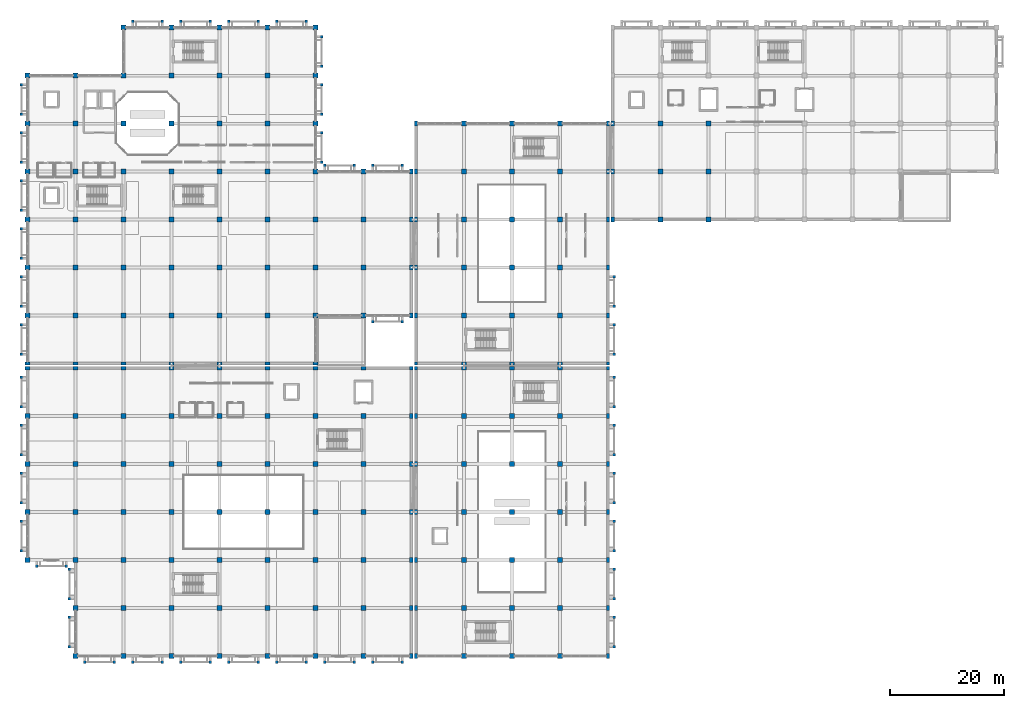
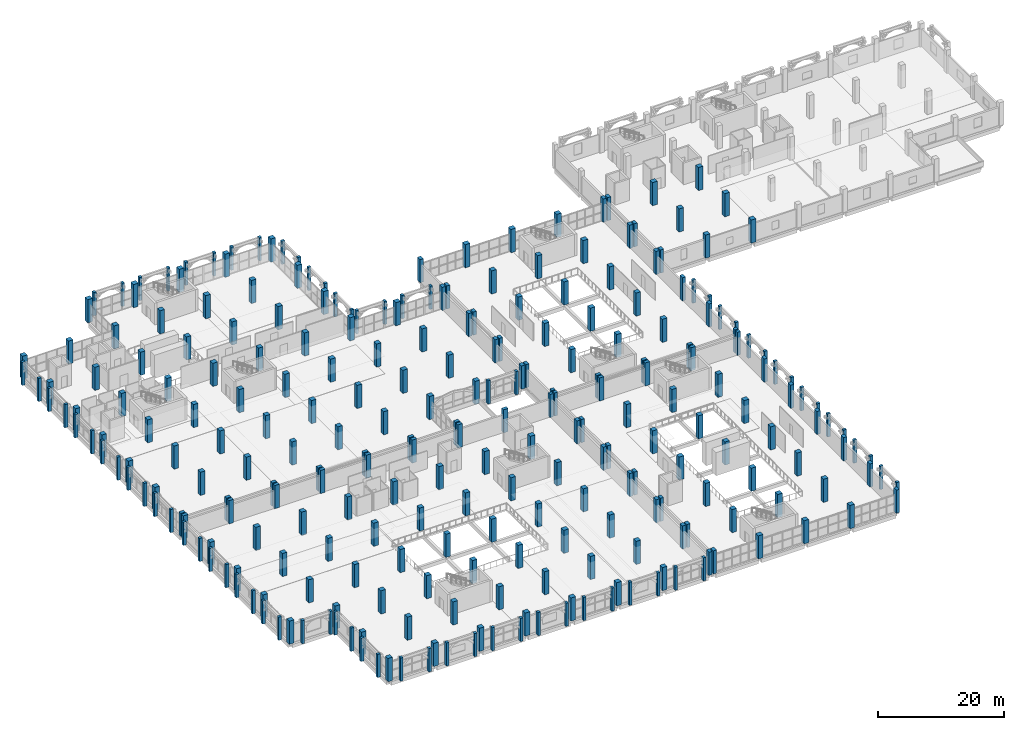
# One storey, part 1 of 137: 273 columns.
"""IFC4 building model written with IfcOpenShell, lengths in metres."""

from ifc_helpers import new_model, si_unit, direction, frame, origin, origin_2d, place, context, subcontext, project, spatial, rectangle, extrude, material, material_profile, profile_set, type_object, element, save


model = new_model("IFC4")

# Units and contexts
model_context = context("Model", 3, precision=1e-05, world=origin(), true_north=direction((0.0, 1.0)))
body_context = subcontext(model_context, "Body", "Model", "MODEL_VIEW")
ifc_project = project(units=[si_unit("LENGTHUNIT", "METRE"), si_unit("AREAUNIT", "SQUARE_METRE"), si_unit("VOLUMEUNIT", "CUBIC_METRE"), si_unit("PLANEANGLEUNIT", "RADIAN"), si_unit("MASSUNIT", "GRAM", prefix="KILO")], contexts=[model_context])

# Site, building, storey
site_placement = place(None, origin())
site = spatial("IfcSite", under=ifc_project, at=site_placement, CompositionType="ELEMENT")
building_placement = place(site_placement, origin())
building = spatial("IfcBuilding", under=site, at=building_placement, Name="Xazarin Passage Department Store", CompositionType="ELEMENT")
storey_placement = place(building_placement, frame((0.0, 0.0, 5.39990234375)))
storey = spatial("IfcBuildingStorey", under=building, at=storey_placement, Name="L01", CompositionType="ELEMENT", Elevation=5.39990234375)

# Columns
ifc_material = material(Name="Concrete C40/50", Category="concrete")
ifc_material_profile_1 = material_profile(ifc_material, rectangle(XDim=0.85009765625, YDim=0.85009765625, at=origin_2d()), Name="RC 850x850")
ifc_profile_set_1 = profile_set([ifc_material_profile_1], Name="Concrete C40/50")
column_type_1 = type_object("IfcColumnType", Name="STR-COL-RC850", PredefinedType="COLUMN", material=ifc_profile_set_1)
for number, where, z_axis, x_axis, name in (
    (1, (0.0, 59.60009765625, 0.0), (0.0, 0.0, 1.0), (1.0, 0.0, 0.0), "L01 Column 1/J"),
    (2, (8.39990234375, 59.60009765625, 0.0), (0.0, 0.0, 1.0), (1.0, 0.0, 0.0), "L01 Column 2/J"),
    (3, (16.800048828125, 59.60009765625, 0.0), (0.0, 0.0, 1.0), (1.0, 0.0, 0.0), "L01 Column 3/J"),
    (4, (25.199951171875, 59.60009765625, 0.0), (0.0, 0.0, 1.0), (1.0, 0.0, 0.0), "L01 Column 4/J"),
    (5, (33.60009765625, 59.60009765625, 0.0), (0.0, 0.0, 1.0), (1.0, 0.0, 0.0), "L01 Column 5/J"),
    (6, (42.0, 59.60009765625, 0.0), (0.0, 0.0, 1.0), (1.0, 0.0, 0.0), "L01 Column 6/J"),
    (7, (50.39990234375, 59.60009765625, 0.0), (0.0, 0.0, 1.0), (1.0, 0.0, 0.0), "L01 Column 7/J"),
    (8, (58.800048828125, 59.60009765625, 0.0), (0.0, 0.0, 1.0), (1.0, 0.0, 0.0), "L01 Column 8/J"),
    (9, (0.0, 68.0, 0.0), (0.0, 0.0, 1.0), (1.0, 0.0, 0.0), "L01 Column 1/K"),
    (10, (8.39990234375, 68.0, 0.0), (0.0, 0.0, 1.0), (1.0, 0.0, 0.0), "L01 Column 2/K"),
    (11, (16.800048828125, 68.0, 0.0), (0.0, 0.0, 1.0), (1.0, 0.0, 0.0), "L01 Column 3/K"),
    (12, (25.199951171875, 68.0, 0.0), (0.0, 0.0, 1.0), (1.0, 0.0, 0.0), "L01 Column 4/K"),
    (13, (33.60009765625, 68.0, 0.0), (0.0, 0.0, 1.0), (1.0, 0.0, 0.0), "L01 Column 5/K"),
    (14, (42.0, 68.0, 0.0), (0.0, 0.0, 1.0), (1.0, 0.0, 0.0), "L01 Column 6/K"),
    (15, (50.39990234375, 68.0, 0.0), (0.0, 0.0, 1.0), (1.0, 0.0, 0.0), "L01 Column 7/K"),
    (16, (58.800048828125, 68.0, 0.0), (0.0, 0.0, 1.0), (1.0, 0.0, 0.0), "L01 Column 8/K"),
    (17, (0.0, 76.39990234375, 0.0), (0.0, 0.0, 1.0), (1.0, 0.0, 0.0), "L01 Column 1/L"),
    (18, (8.39990234375, 76.39990234375, 0.0), (0.0, 0.0, 1.0), (1.0, 0.0, 0.0), "L01 Column 2/L"),
    (19, (16.800048828125, 76.39990234375, 0.0), (0.0, 0.0, 1.0), (1.0, 0.0, 0.0), "L01 Column 3/L"),
    (20, (25.199951171875, 76.39990234375, 0.0), (0.0, 0.0, 1.0), (1.0, 0.0, 0.0), "L01 Column 4/L"),
    (21, (33.60009765625, 76.39990234375, 0.0), (0.0, 0.0, 1.0), (1.0, 0.0, 0.0), "L01 Column 5/L"),
    (22, (42.0, 76.39990234375, 0.0), (0.0, 0.0, 1.0), (1.0, 0.0, 0.0), "L01 Column 6/L"),
    (23, (50.39990234375, 76.39990234375, 0.0), (0.0, 0.0, 1.0), (1.0, 0.0, 0.0), "L01 Column 7/L"),
    (24, (58.800048828125, 76.39990234375, 0.0), (0.0, 0.0, 1.0), (1.0, 0.0, 0.0), "L01 Column 8/L"),
    (25, (0.0, 84.800048828125, 0.0), (0.0, 0.0, 1.0), (1.0, 0.0, 0.0), "L01 Column 1/M"),
    (26, (8.39990234375, 84.800048828125, 0.0), (0.0, 0.0, 1.0), (1.0, 0.0, 0.0), "L01 Column 2/M"),
    (27, (16.800048828125, 84.800048828125, 0.0), (0.0, 0.0, 1.0), (1.0, 0.0, 0.0), "L01 Column 3/M"),
    (28, (25.199951171875, 84.800048828125, 0.0), (0.0, 0.0, 1.0), (1.0, 0.0, 0.0), "L01 Column 4/M"),
    (29, (33.60009765625, 84.800048828125, 0.0), (0.0, 0.0, 1.0), (1.0, 0.0, 0.0), "L01 Column 5/M"),
    (30, (42.0, 84.800048828125, 0.0), (0.0, 0.0, 1.0), (1.0, 0.0, 0.0), "L01 Column 6/M"),
    (31, (50.39990234375, 84.800048828125, 0.0), (0.0, 0.0, 1.0), (1.0, 0.0, 0.0), "L01 Column 7/M"),
    (32, (58.800048828125, 84.800048828125, 0.0), (0.0, 0.0, 1.0), (1.0, 0.0, 0.0), "L01 Column 8/M"),
    (33, (0.0, 93.199951171875, 0.0), (0.0, 0.0, 1.0), (1.0, 0.0, 0.0), "L01 Column 1/N"),
    (34, (8.39990234375, 93.199951171875, 0.0), (0.0, 0.0, 1.0), (1.0, 0.0, 0.0), "L01 Column 2/N"),
    (35, (16.800048828125, 93.199951171875, 0.0), (0.0, 0.0, 1.0), (1.0, 0.0, 0.0), "L01 Column 3/N"),
    (36, (25.199951171875, 93.199951171875, 0.0), (0.0, 0.0, 1.0), (1.0, 0.0, 0.0), "L01 Column 4/N"),
    (37, (33.60009765625, 93.199951171875, 0.0), (0.0, 0.0, 1.0), (1.0, 0.0, 0.0), "L01 Column 5/N"),
    (38, (42.0, 93.199951171875, 0.0), (0.0, 0.0, 1.0), (1.0, 0.0, 0.0), "L01 Column 6/N"),
    (39, (50.39990234375, 93.199951171875, 0.0), (0.0, 0.0, 1.0), (1.0, 0.0, 0.0), "L01 Column 7/N"),
    (40, (0.0, 101.60009765625, 0.0), (0.0, 0.0, 1.0), (1.0, 0.0, 0.0), "L01 Column 1/P"),
    (41, (8.39990234375, 101.60009765625, 0.0), (0.0, 0.0, 1.0), (1.0, 0.0, 0.0), "L01 Column 2/P"),
    (42, (16.800048828125, 101.60009765625, 0.0), (0.0, 0.0, 1.0), (1.0, 0.0, 0.0), "L01 Column 3/P"),
    (43, (25.199951171875, 101.60009765625, 0.0), (0.0, 0.0, 1.0), (1.0, 0.0, 0.0), "L01 Column 4/P"),
    (44, (33.60009765625, 101.60009765625, 0.0), (0.0, 0.0, 1.0), (1.0, 0.0, 0.0), "L01 Column 5/P"),
    (45, (42.0, 101.60009765625, 0.0), (0.0, 0.0, 1.0), (1.0, 0.0, 0.0), "L01 Column 6/P"),
    (46, (50.39990234375, 101.60009765625, 0.0), (0.0, 0.0, 1.0), (1.0, 0.0, 0.0), "L01 Column 7/P"),
    (47, (16.800048828125, 110.0, 0.0), (0.0, 0.0, 1.0), (1.0, 0.0, 0.0), "L01 Column 3/Q"),
    (48, (25.199951171875, 110.0, 0.0), (0.0, 0.0, 1.0), (1.0, 0.0, 0.0), "L01 Column 4/Q"),
    (49, (33.60009765625, 110.0, 0.0), (0.0, 0.0, 1.0), (1.0, 0.0, 0.0), "L01 Column 5/Q"),
    (50, (42.0, 110.0, 0.0), (0.0, 0.0, 1.0), (1.0, 0.0, 0.0), "L01 Column 6/Q"),
    (51, (50.39990234375, 110.0, 0.0), (0.0, 0.0, 1.0), (1.0, 0.0, 0.0), "L01 Column 7/Q"),
    (52, (76.39990234375, 0.0, 0.0), (0.0, 0.0, 1.0), (1.0, 0.0, 0.0), "L01 Column 11/A"),
    (53, (84.800048828125, 0.0, 0.0), (0.0, 0.0, 1.0), (1.0, 0.0, 0.0), "L01 Column 12/A"),
    (54, (93.199951171875, 0.0, 0.0), (0.0, 0.0, 1.0), (1.0, 0.0, 0.0), "L01 Column 13/A"),
    (55, (76.39990234375, 8.39990234375, 0.0), (0.0, 0.0, 1.0), (1.0, 0.0, 0.0), "L01 Column 11/B"),
    (56, (84.800048828125, 8.39990234375, 0.0), (0.0, 0.0, 1.0), (1.0, 0.0, 0.0), "L01 Column 12/B"),
    (57, (93.199951171875, 8.39990234375, 0.0), (0.0, 0.0, 1.0), (1.0, 0.0, 0.0), "L01 Column 13/B"),
    (58, (76.39990234375, 16.800048828125, 0.0), (0.0, 0.0, 1.0), (1.0, 0.0, 0.0), "L01 Column 11/C"),
    (59, (84.800048828125, 16.800048828125, 0.0), (0.0, 0.0, 1.0), (1.0, 0.0, 0.0), "L01 Column 12/C"),
    (60, (93.199951171875, 16.800048828125, 0.0), (0.0, 0.0, 1.0), (1.0, 0.0, 0.0), "L01 Column 13/C"),
    (61, (76.39990234375, 25.199951171875, 0.0), (0.0, 0.0, 1.0), (1.0, 0.0, 0.0), "L01 Column 11/D"),
    (62, (84.800048828125, 25.199951171875, 0.0), (0.0, 0.0, 1.0), (1.0, 0.0, 0.0), "L01 Column 12/D"),
    (63, (93.199951171875, 25.199951171875, 0.0), (0.0, 0.0, 1.0), (1.0, 0.0, 0.0), "L01 Column 13/D"),
    (64, (76.39990234375, 33.60009765625, 0.0), (0.0, 0.0, 1.0), (1.0, 0.0, 0.0), "L01 Column 11/E"),
    (65, (84.800048828125, 33.60009765625, 0.0), (0.0, 0.0, 1.0), (1.0, 0.0, 0.0), "L01 Column 12/E"),
    (66, (93.199951171875, 33.60009765625, 0.0), (0.0, 0.0, 1.0), (1.0, 0.0, 0.0), "L01 Column 13/E"),
    (67, (76.39990234375, 42.0, 0.0), (0.0, 0.0, 1.0), (1.0, 0.0, 0.0), "L01 Column 11/F"),
    (68, (84.800048828125, 42.0, 0.0), (0.0, 0.0, 1.0), (1.0, 0.0, 0.0), "L01 Column 12/F"),
    (69, (93.199951171875, 42.0, 0.0), (0.0, 0.0, 1.0), (1.0, 0.0, 0.0), "L01 Column 13/F"),
    (70, (76.39990234375, 59.60009765625, 0.0), (0.0, 0.0, 1.0), (1.0, 0.0, 0.0), "L01 Column 11/J"),
    (71, (84.800048828125, 59.60009765625, 0.0), (0.0, 0.0, 1.0), (1.0, 0.0, 0.0), "L01 Column 12/J"),
    (72, (93.199951171875, 59.60009765625, 0.0), (0.0, 0.0, 1.0), (1.0, 0.0, 0.0), "L01 Column 13/J"),
    (73, (76.39990234375, 68.0, 0.0), (0.0, 0.0, 1.0), (1.0, 0.0, 0.0), "L01 Column 11/K"),
    (74, (84.800048828125, 68.0, 0.0), (0.0, 0.0, 1.0), (1.0, 0.0, 0.0), "L01 Column 12/K"),
    (75, (93.199951171875, 68.0, 0.0), (0.0, 0.0, 1.0), (1.0, 0.0, 0.0), "L01 Column 13/K"),
    (76, (76.39990234375, 76.39990234375, 0.0), (0.0, 0.0, 1.0), (1.0, 0.0, 0.0), "L01 Column 11/L"),
    (77, (84.800048828125, 76.39990234375, 0.0), (0.0, 0.0, 1.0), (1.0, 0.0, 0.0), "L01 Column 12/L"),
    (78, (93.199951171875, 76.39990234375, 0.0), (0.0, 0.0, 1.0), (1.0, 0.0, 0.0), "L01 Column 13/L"),
    (79, (76.39990234375, 84.800048828125, 0.0), (0.0, 0.0, 1.0), (1.0, 0.0, 0.0), "L01 Column 11/M"),
    (80, (84.800048828125, 84.800048828125, 0.0), (0.0, 0.0, 1.0), (1.0, 0.0, 0.0), "L01 Column 12/M"),
    (81, (93.199951171875, 84.800048828125, 0.0), (0.0, 0.0, 1.0), (1.0, 0.0, 0.0), "L01 Column 13/M"),
    (82, (76.39990234375, 93.199951171875, 0.0), (0.0, 0.0, 1.0), (1.0, 0.0, 0.0), "L01 Column 11/N"),
    (83, (84.800048828125, 93.199951171875, 0.0), (0.0, 0.0, 1.0), (1.0, 0.0, 0.0), "L01 Column 12/N"),
    (84, (93.199951171875, 93.199951171875, 0.0), (0.0, 0.0, 1.0), (1.0, 0.0, 0.0), "L01 Column 13/N"),
    (85, (8.39990234375, 0.0, 0.0), (0.0, 0.0, 1.0), (1.0, 0.0, 0.0), "L01 Column 2/A"),
    (86, (16.800048828125, 0.0, 0.0), (0.0, 0.0, 1.0), (1.0, 0.0, 0.0), "L01 Column 3/A"),
    (87, (25.199951171875, 0.0, 0.0), (0.0, 0.0, 1.0), (1.0, 0.0, 0.0), "L01 Column 4/A"),
    (88, (33.60009765625, 0.0, 0.0), (0.0, 0.0, 1.0), (1.0, 0.0, 0.0), "L01 Column 5/A"),
    (89, (42.0, 0.0, 0.0), (0.0, 0.0, 1.0), (1.0, 0.0, 0.0), "L01 Column 6/A"),
    (90, (50.39990234375, 0.0, 0.0), (0.0, 0.0, 1.0), (1.0, 0.0, 0.0), "L01 Column 7/A"),
    (91, (58.800048828125, 0.0, 0.0), (0.0, 0.0, 1.0), (1.0, 0.0, 0.0), "L01 Column 8/A"),
    (92, (8.39990234375, 8.39990234375, 0.0), (0.0, 0.0, 1.0), (1.0, 0.0, 0.0), "L01 Column 2/B"),
    (93, (16.800048828125, 8.39990234375, 0.0), (0.0, 0.0, 1.0), (1.0, 0.0, 0.0), "L01 Column 3/B"),
    (94, (25.199951171875, 8.39990234375, 0.0), (0.0, 0.0, 1.0), (1.0, 0.0, 0.0), "L01 Column 4/B"),
    (95, (33.60009765625, 8.39990234375, 0.0), (0.0, 0.0, 1.0), (1.0, 0.0, 0.0), "L01 Column 5/B"),
    (96, (42.0, 8.39990234375, 0.0), (0.0, 0.0, 1.0), (1.0, 0.0, 0.0), "L01 Column 6/B"),
    (97, (50.39990234375, 8.39990234375, 0.0), (0.0, 0.0, 1.0), (1.0, 0.0, 0.0), "L01 Column 7/B"),
    (98, (58.800048828125, 8.39990234375, 0.0), (0.0, 0.0, 1.0), (1.0, 0.0, 0.0), "L01 Column 8/B"),
    (99, (0.0, 16.800048828125, 0.0), (0.0, 0.0, 1.0), (1.0, 0.0, 0.0), "L01 Column 1/C"),
    (100, (8.39990234375, 16.800048828125, 0.0), (0.0, 0.0, 1.0), (1.0, 0.0, 0.0), "L01 Column 2/C"),
    (101, (16.800048828125, 16.800048828125, 0.0), (0.0, 0.0, 1.0), (1.0, 0.0, 0.0), "L01 Column 3/C"),
    (102, (25.199951171875, 16.800048828125, 0.0), (0.0, 0.0, 1.0), (1.0, 0.0, 0.0), "L01 Column 4/C"),
    (103, (33.60009765625, 16.800048828125, 0.0), (0.0, 0.0, 1.0), (1.0, 0.0, 0.0), "L01 Column 5/C"),
    (104, (42.0, 16.800048828125, 0.0), (0.0, 0.0, 1.0), (1.0, 0.0, 0.0), "L01 Column 6/C"),
    (105, (50.39990234375, 16.800048828125, 0.0), (0.0, 0.0, 1.0), (1.0, 0.0, 0.0), "L01 Column 7/C"),
    (106, (58.800048828125, 16.800048828125, 0.0), (0.0, 0.0, 1.0), (1.0, 0.0, 0.0), "L01 Column 8/C"),
    (107, (0.0, 25.199951171875, 0.0), (0.0, 0.0, 1.0), (1.0, 0.0, 0.0), "L01 Column 1/D"),
    (108, (8.39990234375, 25.199951171875, 0.0), (0.0, 0.0, 1.0), (1.0, 0.0, 0.0), "L01 Column 2/D"),
    (109, (16.800048828125, 25.199951171875, 0.0), (0.0, 0.0, 1.0), (1.0, 0.0, 0.0), "L01 Column 3/D"),
    (110, (25.199951171875, 25.199951171875, 0.0), (0.0, 0.0, 1.0), (1.0, 0.0, 0.0), "L01 Column 4/D"),
    (111, (33.60009765625, 25.199951171875, 0.0), (0.0, 0.0, 1.0), (1.0, 0.0, 0.0), "L01 Column 5/D"),
    (112, (42.0, 25.199951171875, 0.0), (0.0, 0.0, 1.0), (1.0, 0.0, 0.0), "L01 Column 6/D"),
    (113, (50.39990234375, 25.199951171875, 0.0), (0.0, 0.0, 1.0), (1.0, 0.0, 0.0), "L01 Column 7/D"),
    (114, (58.800048828125, 25.199951171875, 0.0), (0.0, 0.0, 1.0), (1.0, 0.0, 0.0), "L01 Column 8/D"),
    (115, (0.0, 33.60009765625, 0.0), (0.0, 0.0, 1.0), (1.0, 0.0, 0.0), "L01 Column 1/E"),
    (116, (8.39990234375, 33.60009765625, 0.0), (0.0, 0.0, 1.0), (1.0, 0.0, 0.0), "L01 Column 2/E"),
    (117, (16.800048828125, 33.60009765625, 0.0), (0.0, 0.0, 1.0), (1.0, 0.0, 0.0), "L01 Column 3/E"),
    (118, (25.199951171875, 33.60009765625, 0.0), (0.0, 0.0, 1.0), (1.0, 0.0, 0.0), "L01 Column 4/E"),
    (119, (33.60009765625, 33.60009765625, 0.0), (0.0, 0.0, 1.0), (1.0, 0.0, 0.0), "L01 Column 5/E"),
    (120, (42.0, 33.60009765625, 0.0), (0.0, 0.0, 1.0), (1.0, 0.0, 0.0), "L01 Column 6/E"),
    (121, (50.39990234375, 33.60009765625, 0.0), (0.0, 0.0, 1.0), (1.0, 0.0, 0.0), "L01 Column 7/E"),
    (122, (58.800048828125, 33.60009765625, 0.0), (0.0, 0.0, 1.0), (1.0, 0.0, 0.0), "L01 Column 8/E"),
    (123, (0.0, 42.0, 0.0), (0.0, 0.0, 1.0), (1.0, 0.0, 0.0), "L01 Column 1/F"),
    (124, (8.39990234375, 42.0, 0.0), (0.0, 0.0, 1.0), (1.0, 0.0, 0.0), "L01 Column 2/F"),
    (125, (16.800048828125, 42.0, 0.0), (0.0, 0.0, 1.0), (1.0, 0.0, 0.0), "L01 Column 3/F"),
    (126, (25.199951171875, 42.0, 0.0), (0.0, 0.0, 1.0), (1.0, 0.0, 0.0), "L01 Column 4/F"),
    (127, (33.60009765625, 42.0, 0.0), (0.0, 0.0, 1.0), (1.0, 0.0, 0.0), "L01 Column 5/F"),
    (128, (42.0, 42.0, 0.0), (0.0, 0.0, 1.0), (1.0, 0.0, 0.0), "L01 Column 6/F"),
    (129, (50.39990234375, 42.0, 0.0), (0.0, 0.0, 1.0), (1.0, 0.0, 0.0), "L01 Column 7/F"),
    (130, (58.800048828125, 42.0, 0.0), (0.0, 0.0, 1.0), (1.0, 0.0, 0.0), "L01 Column 8/F"),
    (131, (110.800048828125, 76.39990234375, 0.0), (0.0, 0.0, 1.0), (1.0, 0.0, 0.0), "L01 Column 16/L"),
    (132, (119.199951171875, 76.39990234375, 0.0), (0.0, 0.0, 1.0), (1.0, 0.0, 0.0), "L01 Column 17/L"),
    (133, (110.800048828125, 84.800048828125, 0.0), (0.0, 0.0, 1.0), (1.0, 0.0, 0.0), "L01 Column 16/M"),
    (134, (119.199951171875, 84.800048828125, 0.0), (0.0, 0.0, 1.0), (1.0, 0.0, 0.0), "L01 Column 17/M"),
    (135, (110.800048828125, 93.199951171875, 0.0), (0.0, 0.0, 1.0), (1.0, 0.0, 0.0), "L01 Column 16/N"),
    (136, (119.199951171875, 93.199951171875, 0.0), (0.0, 0.0, 1.0), (1.0, 0.0, 0.0), "L01 Column 17/N"),
):
    element("IfcColumn", number, at=place(storey_placement, frame(where, z_axis=z_axis, x_axis=x_axis)), inside=storey, type_object=column_type_1, Name=name, PredefinedType="COLUMN", context=body_context, shape_type="SweptSolid", body=[
        extrude(rectangle(XDim=0.85009765625, YDim=0.85009765625, at=origin_2d()), origin(), (0.0, 0.0, 1.0), 4.5),
    ])
ifc_material_profile_2 = material_profile(ifc_material, rectangle(XDim=0.60009765625, YDim=0.60009765625, at=origin_2d()), Name="RC 600x600")
ifc_profile_set_2 = profile_set([ifc_material_profile_2], Name="Concrete C40/50")
column_type_2 = type_object("IfcColumnType", Name="STR-COL-SJ600", PredefinedType="COLUMN", material=ifc_profile_set_2)
for number, where, z_axis, x_axis, name in (
    (137, (68.0, 50.39990234375, 0.0), (0.0, 0.0, 1.0), (1.0, 0.0, 0.0), "L01 Column 10/G"),
    (138, (101.60009765625, 50.39990234375, 0.0), (0.0, 0.0, 1.0), (1.0, 0.0, 0.0), "L01 Column 14/G"),
    (139, (68.0, 51.199951171875, 0.0), (0.0, 0.0, 1.0), (1.0, 0.0, 0.0), "L01 Column 10/H"),
    (140, (101.60009765625, 51.199951171875, 0.0), (0.0, 0.0, 1.0), (1.0, 0.0, 0.0), "L01 Column 14/H"),
    (141, (67.199951171875, 50.39990234375, 0.0), (0.0, 0.0, 1.0), (1.0, 0.0, 0.0), "L01 Column 9/G"),
):
    element("IfcColumn", number, at=place(storey_placement, frame(where, z_axis=z_axis, x_axis=x_axis)), inside=storey, type_object=column_type_2, Name=name, PredefinedType="COLUMN", context=body_context, shape_type="SweptSolid", body=[
        extrude(rectangle(XDim=0.60009765625, YDim=0.60009765625, at=origin_2d()), origin(), (0.0, 0.0, 1.0), 4.5),
    ])
ifc_material_profile_3 = material_profile(ifc_material, rectangle(XDim=0.60009765625, YDim=0.85009765625, at=origin_2d()), Name="RC 600x850")
ifc_profile_set_3 = profile_set([ifc_material_profile_3], Name="Concrete C40/50")
column_type_3 = type_object("IfcColumnType", Name="STR-COL-SJ850", PredefinedType="COLUMN", material=ifc_profile_set_3)
for number, where, z_axis, x_axis, name in (
    (142, (0.0, 51.199951171875, 0.0), (0.0, 0.0, 1.0), (0.0, 1.0, 0.0), "L01 Column 1/H"),
    (143, (8.39990234375, 51.199951171875, 0.0), (0.0, 0.0, 1.0), (0.0, 1.0, 0.0), "L01 Column 2/H"),
    (144, (16.800048828125, 51.199951171875, 0.0), (0.0, 0.0, 1.0), (0.0, 1.0, 0.0), "L01 Column 3/H"),
    (145, (25.199951171875, 51.199951171875, 0.0), (0.0, 0.0, 1.0), (0.0, 1.0, 0.0), "L01 Column 4/H"),
    (146, (33.60009765625, 51.199951171875, 0.0), (0.0, 0.0, 1.0), (0.0, 1.0, 0.0), "L01 Column 5/H"),
    (147, (42.0, 51.199951171875, 0.0), (0.0, 0.0, 1.0), (0.0, 1.0, 0.0), "L01 Column 6/H"),
    (148, (50.39990234375, 51.199951171875, 0.0), (0.0, 0.0, 1.0), (0.0, 1.0, 0.0), "L01 Column 7/H"),
    (149, (67.199951171875, 59.60009765625, 0.0), (0.0, 0.0, 1.0), (1.0, 0.0, 0.0), "L01 Column 9/J"),
    (150, (67.199951171875, 68.0, 0.0), (0.0, 0.0, 1.0), (1.0, 0.0, 0.0), "L01 Column 9/K"),
    (151, (67.199951171875, 76.39990234375, 0.0), (0.0, 0.0, 1.0), (1.0, 0.0, 0.0), "L01 Column 9/L"),
    (152, (67.199951171875, 84.800048828125, 0.0), (0.0, 0.0, 1.0), (1.0, 0.0, 0.0), "L01 Column 9/M"),
    (153, (68.0, 0.0, 0.0), (0.0, 0.0, 1.0), (1.0, 0.0, 0.0), "L01 Column 10/A"),
    (154, (101.60009765625, 0.0, 0.0), (0.0, 0.0, 1.0), (1.0, 0.0, 0.0), "L01 Column 14/A"),
    (155, (68.0, 8.39990234375, 0.0), (0.0, 0.0, 1.0), (1.0, 0.0, 0.0), "L01 Column 10/B"),
    (156, (101.60009765625, 8.39990234375, 0.0), (0.0, 0.0, 1.0), (1.0, 0.0, 0.0), "L01 Column 14/B"),
    (157, (68.0, 16.800048828125, 0.0), (0.0, 0.0, 1.0), (1.0, 0.0, 0.0), "L01 Column 10/C"),
    (158, (101.60009765625, 16.800048828125, 0.0), (0.0, 0.0, 1.0), (1.0, 0.0, 0.0), "L01 Column 14/C"),
    (159, (68.0, 25.199951171875, 0.0), (0.0, 0.0, 1.0), (1.0, 0.0, 0.0), "L01 Column 10/D"),
    (160, (101.60009765625, 25.199951171875, 0.0), (0.0, 0.0, 1.0), (1.0, 0.0, 0.0), "L01 Column 14/D"),
    (161, (68.0, 33.60009765625, 0.0), (0.0, 0.0, 1.0), (1.0, 0.0, 0.0), "L01 Column 10/E"),
    (162, (101.60009765625, 33.60009765625, 0.0), (0.0, 0.0, 1.0), (1.0, 0.0, 0.0), "L01 Column 14/E"),
    (163, (68.0, 42.0, 0.0), (0.0, 0.0, 1.0), (1.0, 0.0, 0.0), "L01 Column 10/F"),
    (164, (101.60009765625, 42.0, 0.0), (0.0, 0.0, 1.0), (1.0, 0.0, 0.0), "L01 Column 14/F"),
    (165, (76.39990234375, 50.39990234375, 0.0), (0.0, 0.0, 1.0), (0.0, 1.0, 0.0), "L01 Column 11/G"),
    (166, (84.800048828125, 50.39990234375, 0.0), (0.0, 0.0, 1.0), (0.0, 1.0, 0.0), "L01 Column 12/G"),
    (167, (93.199951171875, 50.39990234375, 0.0), (0.0, 0.0, 1.0), (0.0, 1.0, 0.0), "L01 Column 13/G"),
    (168, (76.39990234375, 51.199951171875, 0.0), (0.0, 0.0, 1.0), (0.0, 1.0, 0.0), "L01 Column 11/H"),
    (169, (84.800048828125, 51.199951171875, 0.0), (0.0, 0.0, 1.0), (0.0, 1.0, 0.0), "L01 Column 12/H"),
    (170, (93.199951171875, 51.199951171875, 0.0), (0.0, 0.0, 1.0), (0.0, 1.0, 0.0), "L01 Column 13/H"),
    (171, (68.0, 59.60009765625, 0.0), (0.0, 0.0, 1.0), (1.0, 0.0, 0.0), "L01 Column 10/J"),
    (172, (101.60009765625, 59.60009765625, 0.0), (0.0, 0.0, 1.0), (1.0, 0.0, 0.0), "L01 Column 14/J"),
    (173, (68.0, 68.0, 0.0), (0.0, 0.0, 1.0), (1.0, 0.0, 0.0), "L01 Column 10/K"),
    (174, (101.60009765625, 68.0, 0.0), (0.0, 0.0, 1.0), (1.0, 0.0, 0.0), "L01 Column 14/K"),
    (175, (68.0, 76.39990234375, 0.0), (0.0, 0.0, 1.0), (1.0, 0.0, 0.0), "L01 Column 10/L"),
    (176, (101.60009765625, 76.39990234375, 0.0), (0.0, 0.0, 1.0), (1.0, 0.0, 0.0), "L01 Column 14/L"),
    (177, (68.0, 84.800048828125, 0.0), (0.0, 0.0, 1.0), (1.0, 0.0, 0.0), "L01 Column 10/M"),
    (178, (101.60009765625, 84.800048828125, 0.0), (0.0, 0.0, 1.0), (1.0, 0.0, 0.0), "L01 Column 14/M"),
    (179, (68.0, 93.199951171875, 0.0), (0.0, 0.0, 1.0), (1.0, 0.0, 0.0), "L01 Column 10/N"),
    (180, (101.60009765625, 93.199951171875, 0.0), (0.0, 0.0, 1.0), (1.0, 0.0, 0.0), "L01 Column 14/N"),
    (181, (67.199951171875, 0.0, 0.0), (0.0, 0.0, 1.0), (1.0, 0.0, 0.0), "L01 Column 9/A"),
    (182, (67.199951171875, 8.39990234375, 0.0), (0.0, 0.0, 1.0), (1.0, 0.0, 0.0), "L01 Column 9/B"),
    (183, (67.199951171875, 16.800048828125, 0.0), (0.0, 0.0, 1.0), (1.0, 0.0, 0.0), "L01 Column 9/C"),
    (184, (67.199951171875, 25.199951171875, 0.0), (0.0, 0.0, 1.0), (1.0, 0.0, 0.0), "L01 Column 9/D"),
    (185, (67.199951171875, 33.60009765625, 0.0), (0.0, 0.0, 1.0), (1.0, 0.0, 0.0), "L01 Column 9/E"),
    (186, (67.199951171875, 42.0, 0.0), (0.0, 0.0, 1.0), (1.0, 0.0, 0.0), "L01 Column 9/F"),
    (187, (0.0, 50.39990234375, 0.0), (0.0, 0.0, 1.0), (0.0, 1.0, 0.0), "L01 Column 1/G"),
    (188, (8.39990234375, 50.39990234375, 0.0), (0.0, 0.0, 1.0), (0.0, 1.0, 0.0), "L01 Column 2/G"),
    (189, (16.800048828125, 50.39990234375, 0.0), (0.0, 0.0, 1.0), (0.0, 1.0, 0.0), "L01 Column 3/G"),
    (190, (25.199951171875, 50.39990234375, 0.0), (0.0, 0.0, 1.0), (0.0, 1.0, 0.0), "L01 Column 4/G"),
    (191, (33.60009765625, 50.39990234375, 0.0), (0.0, 0.0, 1.0), (0.0, 1.0, 0.0), "L01 Column 5/G"),
    (192, (42.0, 50.39990234375, 0.0), (0.0, 0.0, 1.0), (0.0, 1.0, 0.0), "L01 Column 6/G"),
    (193, (50.39990234375, 50.39990234375, 0.0), (0.0, 0.0, 1.0), (0.0, 1.0, 0.0), "L01 Column 7/G"),
    (194, (58.800048828125, 50.39990234375, 0.0), (0.0, 0.0, 1.0), (0.0, 1.0, 0.0), "L01 Column 8/G"),
    (195, (102.39990234375, 76.39990234375, 0.0), (0.0, 0.0, 1.0), (1.0, 0.0, 0.0), "L01 Column 15/L"),
    (196, (102.39990234375, 84.800048828125, 0.0), (0.0, 0.0, 1.0), (1.0, 0.0, 0.0), "L01 Column 15/M"),
    (197, (102.39990234375, 93.199951171875, 0.0), (0.0, 0.0, 1.0), (1.0, 0.0, 0.0), "L01 Column 15/N"),
):
    element("IfcColumn", number, at=place(storey_placement, frame(where, z_axis=z_axis, x_axis=x_axis)), inside=storey, type_object=column_type_3, Name=name, PredefinedType="COLUMN", context=body_context, shape_type="SweptSolid", body=[
        extrude(rectangle(XDim=0.60009765625, YDim=0.85009765625, at=origin_2d()), origin(), (0.0, 0.0, 1.0), 4.5),
    ])
ifc_material_profile_4 = material_profile(ifc_material, rectangle(XDim=0.449951171875, YDim=0.550048828125, at=origin_2d()), Name="RC 450x550")
ifc_profile_set_4 = profile_set([ifc_material_profile_4], Name="Concrete C40/50")
column_type_4 = type_object("IfcColumnType", Name="STR-PIL-RC450", PredefinedType="PILASTER", material=ifc_profile_set_4)
for number, where, z_axis, x_axis, name in (
    (198, (18.419921875, 111.050048828125, 0.0), (0.0, 0.0, 1.0), (1.0, 0.0, 0.0), "L01 V1 Pierced-Arch Colonnade Pier 001L"),
    (199, (23.580078125, 111.050048828125, 0.0), (0.0, 0.0, 1.0), (1.0, 0.0, 0.0), "L01 V1 Pierced-Arch Colonnade Pier 001R"),
    (200, (26.820068359375, 111.050048828125, 0.0), (0.0, 0.0, 1.0), (1.0, 0.0, 0.0), "L01 V1 Pierced-Arch Colonnade Pier 002L"),
    (201, (31.97998046875, 111.050048828125, 0.0), (0.0, 0.0, 1.0), (1.0, 0.0, 0.0), "L01 V1 Pierced-Arch Colonnade Pier 002R"),
    (202, (35.219970703125, 111.050048828125, 0.0), (0.0, 0.0, 1.0), (1.0, 0.0, 0.0), "L01 V1 Pierced-Arch Colonnade Pier 003L"),
    (203, (40.3798828125, 111.050048828125, 0.0), (0.0, 0.0, 1.0), (1.0, 0.0, 0.0), "L01 V1 Pierced-Arch Colonnade Pier 003R"),
    (204, (43.6201171875, 111.050048828125, 0.0), (0.0, 0.0, 1.0), (1.0, 0.0, 0.0), "L01 V1 Pierced-Arch Colonnade Pier 004L"),
    (205, (48.780029296875, 111.050048828125, 0.0), (0.0, 0.0, 1.0), (1.0, 0.0, 0.0), "L01 V1 Pierced-Arch Colonnade Pier 004R"),
    (206, (52.02001953125, 85.85009765625, 0.0), (0.0, 0.0, 1.0), (1.0, 0.0, 0.0), "L01 V1 Pierced-Arch Colonnade Pier 005L"),
    (207, (57.179931640625, 85.85009765625, 0.0), (0.0, 0.0, 1.0), (1.0, 0.0, 0.0), "L01 V1 Pierced-Arch Colonnade Pier 005R"),
    (208, (60.419921875, 58.550048828125, 0.0), (0.0, 0.0, 1.0), (1.0, 0.0, 0.0), "L01 V1 Pierced-Arch Colonnade Pier 006L"),
    (209, (65.580078125, 58.550048828125, 0.0), (0.0, 0.0, 1.0), (1.0, 0.0, 0.0), "L01 V1 Pierced-Arch Colonnade Pier 006R"),
    (210, (60.419921875, 85.85009765625, 0.0), (0.0, 0.0, 1.0), (1.0, 0.0, 0.0), "L01 V1 Pierced-Arch Colonnade Pier 007L"),
    (211, (65.580078125, 85.85009765625, 0.0), (0.0, 0.0, 1.0), (1.0, 0.0, 0.0), "L01 V1 Pierced-Arch Colonnade Pier 007R"),
    (212, (-1.050048828125, 52.820068359375, 0.0), (0.0, 0.0, 1.0), (0.0, 1.0, 0.0), "L01 V1 Pierced-Arch Colonnade Pier 008L"),
    (213, (-1.050048828125, 57.97998046875, 0.0), (0.0, 0.0, 1.0), (0.0, 1.0, 0.0), "L01 V1 Pierced-Arch Colonnade Pier 008R"),
    (214, (-1.050048828125, 61.219970703125, 0.0), (0.0, 0.0, 1.0), (0.0, 1.0, 0.0), "L01 V1 Pierced-Arch Colonnade Pier 009L"),
    (215, (-1.050048828125, 66.3798828125, 0.0), (0.0, 0.0, 1.0), (0.0, 1.0, 0.0), "L01 V1 Pierced-Arch Colonnade Pier 009R"),
    (216, (-1.050048828125, 69.6201171875, 0.0), (0.0, 0.0, 1.0), (0.0, 1.0, 0.0), "L01 V1 Pierced-Arch Colonnade Pier 010L"),
    (217, (-1.050048828125, 74.780029296875, 0.0), (0.0, 0.0, 1.0), (0.0, 1.0, 0.0), "L01 V1 Pierced-Arch Colonnade Pier 010R"),
    (218, (-1.050048828125, 78.02001953125, 0.0), (0.0, 0.0, 1.0), (0.0, 1.0, 0.0), "L01 V1 Pierced-Arch Colonnade Pier 011L"),
    (219, (-1.050048828125, 83.179931640625, 0.0), (0.0, 0.0, 1.0), (0.0, 1.0, 0.0), "L01 V1 Pierced-Arch Colonnade Pier 011R"),
    (220, (-1.050048828125, 86.419921875, 0.0), (0.0, 0.0, 1.0), (0.0, 1.0, 0.0), "L01 V1 Pierced-Arch Colonnade Pier 012L"),
    (221, (-1.050048828125, 91.580078125, 0.0), (0.0, 0.0, 1.0), (0.0, 1.0, 0.0), "L01 V1 Pierced-Arch Colonnade Pier 012R"),
    (222, (-1.050048828125, 94.820068359375, 0.0), (0.0, 0.0, 1.0), (0.0, 1.0, 0.0), "L01 V1 Pierced-Arch Colonnade Pier 013L"),
    (223, (-1.050048828125, 99.97998046875, 0.0), (0.0, 0.0, 1.0), (0.0, 1.0, 0.0), "L01 V1 Pierced-Arch Colonnade Pier 013R"),
    (224, (51.449951171875, 86.419921875, 0.0), (0.0, 0.0, 1.0), (0.0, 1.0, 0.0), "L01 V1 Pierced-Arch Colonnade Pier 014L"),
    (225, (51.449951171875, 91.580078125, 0.0), (0.0, 0.0, 1.0), (0.0, 1.0, 0.0), "L01 V1 Pierced-Arch Colonnade Pier 014R"),
    (226, (51.449951171875, 94.820068359375, 0.0), (0.0, 0.0, 1.0), (0.0, 1.0, 0.0), "L01 V1 Pierced-Arch Colonnade Pier 015L"),
    (227, (51.449951171875, 99.97998046875, 0.0), (0.0, 0.0, 1.0), (0.0, 1.0, 0.0), "L01 V1 Pierced-Arch Colonnade Pier 015R"),
    (228, (51.449951171875, 103.219970703125, 0.0), (0.0, 0.0, 1.0), (0.0, 1.0, 0.0), "L01 V1 Pierced-Arch Colonnade Pier 016L"),
    (229, (51.449951171875, 108.3798828125, 0.0), (0.0, 0.0, 1.0), (0.0, 1.0, 0.0), "L01 V1 Pierced-Arch Colonnade Pier 016R"),
    (230, (102.64990234375, 1.6201171875, 0.0), (0.0, 0.0, 1.0), (0.0, 1.0, 0.0), "L01 V2S Pierced-Arch Colonnade Pier 018L"),
    (231, (102.64990234375, 6.780029296875, 0.0), (0.0, 0.0, 1.0), (0.0, 1.0, 0.0), "L01 V2S Pierced-Arch Colonnade Pier 018R"),
    (232, (102.64990234375, 10.02001953125, 0.0), (0.0, 0.0, 1.0), (0.0, 1.0, 0.0), "L01 V2S Pierced-Arch Colonnade Pier 019L"),
    (233, (102.64990234375, 15.179931640625, 0.0), (0.0, 0.0, 1.0), (0.0, 1.0, 0.0), "L01 V2S Pierced-Arch Colonnade Pier 019R"),
    (234, (102.64990234375, 18.419921875, 0.0), (0.0, 0.0, 1.0), (0.0, 1.0, 0.0), "L01 V2S Pierced-Arch Colonnade Pier 020L"),
    (235, (102.64990234375, 23.580078125, 0.0), (0.0, 0.0, 1.0), (0.0, 1.0, 0.0), "L01 V2S Pierced-Arch Colonnade Pier 020R"),
    (236, (102.64990234375, 26.820068359375, 0.0), (0.0, 0.0, 1.0), (0.0, 1.0, 0.0), "L01 V2S Pierced-Arch Colonnade Pier 021L"),
    (237, (102.64990234375, 31.97998046875, 0.0), (0.0, 0.0, 1.0), (0.0, 1.0, 0.0), "L01 V2S Pierced-Arch Colonnade Pier 021R"),
    (238, (102.64990234375, 35.219970703125, 0.0), (0.0, 0.0, 1.0), (0.0, 1.0, 0.0), "L01 V2S Pierced-Arch Colonnade Pier 022L"),
    (239, (102.64990234375, 40.3798828125, 0.0), (0.0, 0.0, 1.0), (0.0, 1.0, 0.0), "L01 V2S Pierced-Arch Colonnade Pier 022R"),
    (240, (102.64990234375, 43.6201171875, 0.0), (0.0, 0.0, 1.0), (0.0, 1.0, 0.0), "L01 V2S Pierced-Arch Colonnade Pier 023L"),
    (241, (102.64990234375, 48.780029296875, 0.0), (0.0, 0.0, 1.0), (0.0, 1.0, 0.0), "L01 V2S Pierced-Arch Colonnade Pier 023R"),
    (242, (102.64990234375, 52.820068359375, 0.0), (0.0, 0.0, 1.0), (0.0, 1.0, 0.0), "L01 V2N Pierced-Arch Colonnade Pier 024L"),
    (243, (102.64990234375, 57.97998046875, 0.0), (0.0, 0.0, 1.0), (0.0, 1.0, 0.0), "L01 V2N Pierced-Arch Colonnade Pier 024R"),
    (244, (102.64990234375, 61.219970703125, 0.0), (0.0, 0.0, 1.0), (0.0, 1.0, 0.0), "L01 V2N Pierced-Arch Colonnade Pier 025L"),
    (245, (102.64990234375, 66.3798828125, 0.0), (0.0, 0.0, 1.0), (0.0, 1.0, 0.0), "L01 V2N Pierced-Arch Colonnade Pier 025R"),
    (246, (1.6201171875, 15.75, 0.0), (0.0, 0.0, 1.0), (1.0, 0.0, 0.0), "L01 V3 Pierced-Arch Colonnade Pier 026L"),
    (247, (6.780029296875, 15.75, 0.0), (0.0, 0.0, 1.0), (1.0, 0.0, 0.0), "L01 V3 Pierced-Arch Colonnade Pier 026R"),
    (248, (10.02001953125, -1.050048828125, 0.0), (0.0, 0.0, 1.0), (1.0, 0.0, 0.0), "L01 V3 Pierced-Arch Colonnade Pier 027L"),
    (249, (15.179931640625, -1.050048828125, 0.0), (0.0, 0.0, 1.0), (1.0, 0.0, 0.0), "L01 V3 Pierced-Arch Colonnade Pier 027R"),
    (250, (18.419921875, -1.050048828125, 0.0), (0.0, 0.0, 1.0), (1.0, 0.0, 0.0), "L01 V3 Pierced-Arch Colonnade Pier 028L"),
    (251, (23.580078125, -1.050048828125, 0.0), (0.0, 0.0, 1.0), (1.0, 0.0, 0.0), "L01 V3 Pierced-Arch Colonnade Pier 028R"),
    (252, (26.820068359375, -1.050048828125, 0.0), (0.0, 0.0, 1.0), (1.0, 0.0, 0.0), "L01 V3 Pierced-Arch Colonnade Pier 029L"),
    (253, (31.97998046875, -1.050048828125, 0.0), (0.0, 0.0, 1.0), (1.0, 0.0, 0.0), "L01 V3 Pierced-Arch Colonnade Pier 029R"),
    (254, (35.219970703125, -1.050048828125, 0.0), (0.0, 0.0, 1.0), (1.0, 0.0, 0.0), "L01 V3 Pierced-Arch Colonnade Pier 030L"),
    (255, (40.3798828125, -1.050048828125, 0.0), (0.0, 0.0, 1.0), (1.0, 0.0, 0.0), "L01 V3 Pierced-Arch Colonnade Pier 030R"),
    (256, (43.6201171875, -1.050048828125, 0.0), (0.0, 0.0, 1.0), (1.0, 0.0, 0.0), "L01 V3 Pierced-Arch Colonnade Pier 031L"),
    (257, (48.780029296875, -1.050048828125, 0.0), (0.0, 0.0, 1.0), (1.0, 0.0, 0.0), "L01 V3 Pierced-Arch Colonnade Pier 031R"),
    (258, (52.02001953125, -1.050048828125, 0.0), (0.0, 0.0, 1.0), (1.0, 0.0, 0.0), "L01 V3 Pierced-Arch Colonnade Pier 032L"),
    (259, (57.179931640625, -1.050048828125, 0.0), (0.0, 0.0, 1.0), (1.0, 0.0, 0.0), "L01 V3 Pierced-Arch Colonnade Pier 032R"),
    (260, (60.419921875, -1.050048828125, 0.0), (0.0, 0.0, 1.0), (1.0, 0.0, 0.0), "L01 V3 Pierced-Arch Colonnade Pier 033L"),
    (261, (65.580078125, -1.050048828125, 0.0), (0.0, 0.0, 1.0), (1.0, 0.0, 0.0), "L01 V3 Pierced-Arch Colonnade Pier 033R"),
    (262, (-1.050048828125, 18.419921875, 0.0), (0.0, 0.0, 1.0), (0.0, 1.0, 0.0), "L01 V3 Pierced-Arch Colonnade Pier 034L"),
    (263, (-1.050048828125, 23.580078125, 0.0), (0.0, 0.0, 1.0), (0.0, 1.0, 0.0), "L01 V3 Pierced-Arch Colonnade Pier 034R"),
    (264, (-1.050048828125, 26.820068359375, 0.0), (0.0, 0.0, 1.0), (0.0, 1.0, 0.0), "L01 V3 Pierced-Arch Colonnade Pier 035L"),
    (265, (-1.050048828125, 31.97998046875, 0.0), (0.0, 0.0, 1.0), (0.0, 1.0, 0.0), "L01 V3 Pierced-Arch Colonnade Pier 035R"),
    (266, (-1.050048828125, 35.219970703125, 0.0), (0.0, 0.0, 1.0), (0.0, 1.0, 0.0), "L01 V3 Pierced-Arch Colonnade Pier 036L"),
    (267, (-1.050048828125, 40.3798828125, 0.0), (0.0, 0.0, 1.0), (0.0, 1.0, 0.0), "L01 V3 Pierced-Arch Colonnade Pier 036R"),
    (268, (-1.050048828125, 43.6201171875, 0.0), (0.0, 0.0, 1.0), (0.0, 1.0, 0.0), "L01 V3 Pierced-Arch Colonnade Pier 037L"),
    (269, (-1.050048828125, 48.780029296875, 0.0), (0.0, 0.0, 1.0), (0.0, 1.0, 0.0), "L01 V3 Pierced-Arch Colonnade Pier 037R"),
    (270, (7.35009765625, 1.6201171875, 0.0), (0.0, 0.0, 1.0), (0.0, 1.0, 0.0), "L01 V3 Pierced-Arch Colonnade Pier 038L"),
    (271, (7.35009765625, 6.780029296875, 0.0), (0.0, 0.0, 1.0), (0.0, 1.0, 0.0), "L01 V3 Pierced-Arch Colonnade Pier 038R"),
    (272, (7.35009765625, 10.02001953125, 0.0), (0.0, 0.0, 1.0), (0.0, 1.0, 0.0), "L01 V3 Pierced-Arch Colonnade Pier 039L"),
    (273, (7.35009765625, 15.179931640625, 0.0), (0.0, 0.0, 1.0), (0.0, 1.0, 0.0), "L01 V3 Pierced-Arch Colonnade Pier 039R"),
):
    element("IfcColumn", number, at=place(storey_placement, frame(where, z_axis=z_axis, x_axis=x_axis)), inside=storey, type_object=column_type_4, Name=name, PredefinedType="PILASTER", context=body_context, shape_type="SweptSolid", body=[
        extrude(rectangle(XDim=0.449951171875, YDim=0.550048828125, at=origin_2d()), origin(), (0.0, 0.0, 1.0), 4.5),
    ])

save(model, "model.ifc")
